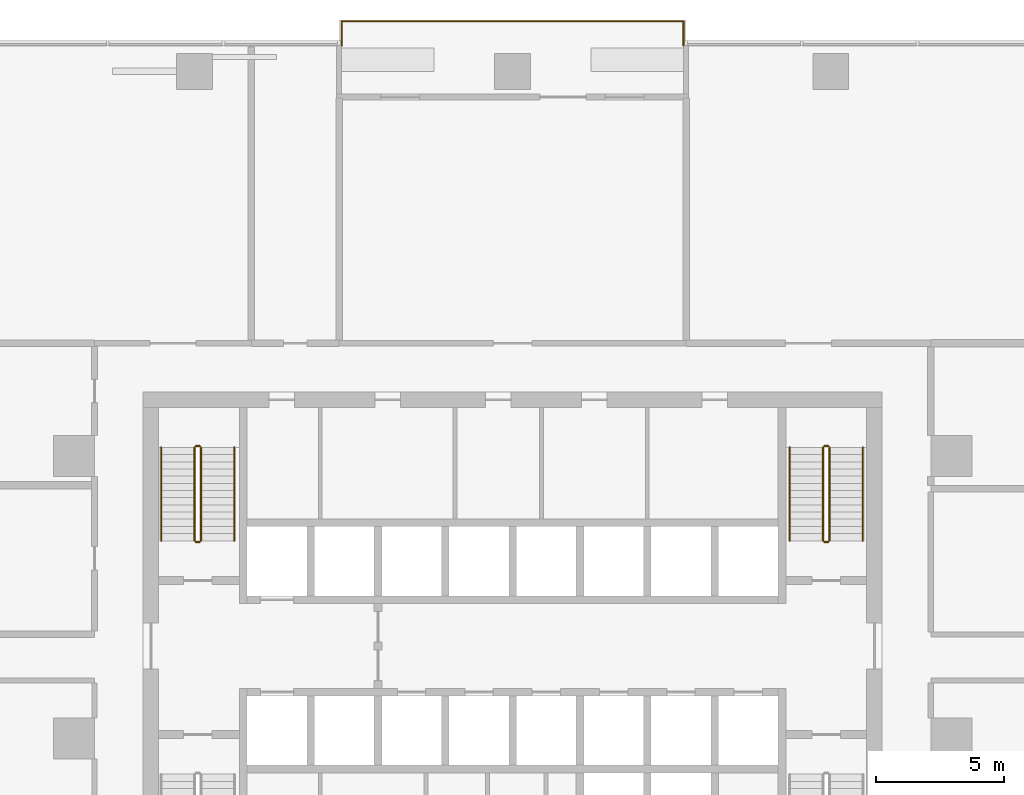
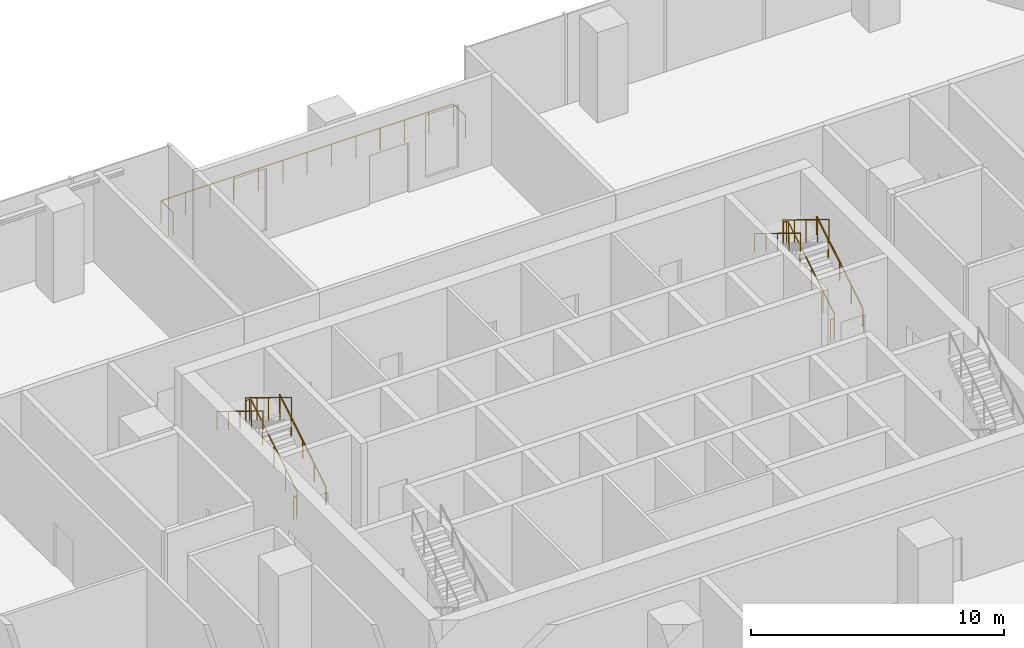
# One storey, part 14 of 14: 11 railings.
"""IFC4 building model written with IfcOpenShell, lengths in metres."""

from ifc_helpers import new_model, si_unit, direction, frame, origin, origin_2d, place, context, subcontext, project, spatial, circle, extrude, material, type_object, element, save


model = new_model("IFC4")

# Units and contexts
model_context = context("Model", 3, precision=1e-05, world=origin(), true_north=direction((0.0, 1.0)))
body_context = subcontext(model_context, "Body", "Model", "MODEL_VIEW")
ifc_project = project(units=[si_unit("LENGTHUNIT", "METRE"), si_unit("AREAUNIT", "SQUARE_METRE"), si_unit("VOLUMEUNIT", "CUBIC_METRE"), si_unit("PLANEANGLEUNIT", "RADIAN"), si_unit("MASSUNIT", "GRAM", prefix="KILO")], contexts=[model_context])

# Site, building, storey
site_placement = place(None, origin())
site = spatial("IfcSite", under=ifc_project, at=site_placement, CompositionType="ELEMENT")
building_placement = place(site_placement, origin())
building = spatial("IfcBuilding", under=site, at=building_placement, Name="Mopane Tessera Tower", CompositionType="ELEMENT")
storey_placement = place(building_placement, frame((0.0, 0.0, 55.0)))
storey = spatial("IfcBuildingStorey", under=building, at=storey_placement, Name="L10", CompositionType="ELEMENT", Elevation=55.0)

# Railings
ifc_material_1 = material(Name="Powder-coated steel balustrade", Category="steel")
railing_type_1 = type_object("IfcRailingType", Name="Escape stair guard 1100 mm", PredefinedType="GUARDRAIL", material=ifc_material_1)
railing_1_placement = place(storey_placement, frame((-12.14990234375, 7.699951171875, 0.17138671875)))
element("IfcRailing", 1, at=railing_1_placement, inside=storey, type_object=railing_type_1, Name="L10 ST2 stair guard 1", PredefinedType="GUARDRAIL", context=body_context, shape_type="SweptSolid", body=[
    extrude(circle(Radius=0.02392578125, at=origin_2d()), frame((0.0, 0.0, 1.076171875), z_axis=(0.0, 0.852865859571, 0.52213008492), x_axis=(-1.0, 0.0, 0.0)), (0.0, 0.0, 1.0), 4.26806640625),
    extrude(circle(Radius=0.02392578125, at=origin_2d()), frame((0.0, 3.64013671875, 3.3046875), z_axis=(-0.708833529934, 0.705375805398, 0.0), x_axis=(-0.705375805398, -0.708833529934, 0.0)), (0.0, 0.0, 1.0), 0.070556640625),
    extrude(circle(Radius=0.02392578125, at=origin_2d()), frame((-0.050048828125, 3.68994140625, 3.3046875), z_axis=(-1.0, 0.0, 0.0), x_axis=(0.0, -1.0, 0.0)), (0.0, 0.0, 1.0), 0.150146484375),
    extrude(circle(Radius=0.02099609375, at=origin_2d()), origin(), (0.0, 0.0, 1.0), 1.052001953125),
    extrude(circle(Radius=0.02099609375, at=origin_2d()), frame((0.0, 0.91015625, 0.55712890625)), (0.0, 0.0, 1.0), 1.052001953125),
    extrude(circle(Radius=0.02099609375, at=origin_2d()), frame((0.0, 1.820068359375, 1.1142578125)), (0.0, 0.0, 1.0), 1.052001953125),
    extrude(circle(Radius=0.02099609375, at=origin_2d()), frame((0.0, 2.72998046875, 1.67138671875)), (0.0, 0.0, 1.0), 1.052001953125),
    extrude(circle(Radius=0.02099609375, at=origin_2d()), frame((0.0, 3.64013671875, 2.228515625)), (0.0, 0.0, 1.0), 1.052001953125),
    extrude(circle(Radius=0.02099609375, at=origin_2d()), frame((-0.050048828125, 3.68994140625, 2.228515625)), (0.0, 0.0, 1.0), 1.052001953125),
    extrude(circle(Radius=0.02099609375, at=origin_2d()), frame((-0.2001953125, 3.68994140625, 2.228515625)), (0.0, 0.0, 1.0), 1.052001953125),
])
railing_2_placement = place(storey_placement, frame((-12.39990234375, 11.340087890625, 2.571533203125)))
element("IfcRailing", 2, at=railing_2_placement, inside=storey, type_object=railing_type_1, Name="L10 ST2 stair guard 2", PredefinedType="GUARDRAIL", context=body_context, shape_type="SweptSolid", body=[
    extrude(circle(Radius=0.02392578125, at=origin_2d()), frame((0.0, 0.0, 1.076171875), z_axis=(0.0, -0.852865859571, 0.52213008492), x_axis=(1.0, 0.0, 0.0)), (0.0, 0.0, 1.0), 4.26806640625),
    extrude(circle(Radius=0.02099609375, at=origin_2d()), origin(), (0.0, 0.0, 1.0), 1.052001953125),
    extrude(circle(Radius=0.02099609375, at=origin_2d()), frame((0.0, -0.91015625, 0.55712890625)), (0.0, 0.0, 1.0), 1.052001953125),
    extrude(circle(Radius=0.02099609375, at=origin_2d()), frame((0.0, -1.820068359375, 1.1142578125)), (0.0, 0.0, 1.0), 1.052001953125),
    extrude(circle(Radius=0.02099609375, at=origin_2d()), frame((0.0, -2.72998046875, 1.67138671875)), (0.0, 0.0, 1.0), 1.052001953125),
    extrude(circle(Radius=0.02099609375, at=origin_2d()), frame((0.0, -3.64013671875, 2.228515625)), (0.0, 0.0, 1.0), 1.052001953125),
])
railing_3_placement = place(storey_placement, frame((-12.199951171875, 7.64990234375, 0.0)))
element("IfcRailing", 3, at=railing_3_placement, inside=storey, type_object=railing_type_1, Name="L10 ST2 stair guard 3", PredefinedType="GUARDRAIL", context=body_context, shape_type="SweptSolid", body=[
    extrude(circle(Radius=0.02392578125, at=origin_2d()), frame((0.0, 0.0, 1.076171875), z_axis=(-1.0, 0.0, 0.0), x_axis=(0.0, -1.0, 0.0)), (0.0, 0.0, 1.0), 0.150146484375),
    extrude(circle(Radius=0.02099609375, at=origin_2d()), origin(), (0.0, 0.0, 1.0), 1.052001953125),
    extrude(circle(Radius=0.02099609375, at=origin_2d()), frame((-0.150146484375, 0.0, 0.0)), (0.0, 0.0, 1.0), 1.052001953125),
])
railing_4_placement = place(storey_placement, frame((12.35009765625, 7.699951171875, 0.17138671875)))
element("IfcRailing", 4, at=railing_4_placement, inside=storey, type_object=railing_type_1, Name="L10 ST4 stair guard 1", PredefinedType="GUARDRAIL", context=body_context, shape_type="SweptSolid", body=[
    extrude(circle(Radius=0.02392578125, at=origin_2d()), frame((0.0, 0.0, 1.076171875), z_axis=(0.0, 0.852865859571, 0.52213008492), x_axis=(-1.0, 0.0, 0.0)), (0.0, 0.0, 1.0), 4.26806640625),
    extrude(circle(Radius=0.02392578125, at=origin_2d()), frame((0.0, 3.64013671875, 3.3046875), z_axis=(-0.708833529934, 0.705375805398, 0.0), x_axis=(-0.705375805398, -0.708833529934, 0.0)), (0.0, 0.0, 1.0), 0.070556640625),
    extrude(circle(Radius=0.02392578125, at=origin_2d()), frame((-0.050048828125, 3.68994140625, 3.3046875), z_axis=(-1.0, 0.0, 0.0), x_axis=(0.0, -1.0, 0.0)), (0.0, 0.0, 1.0), 0.150146484375),
    extrude(circle(Radius=0.02099609375, at=origin_2d()), origin(), (0.0, 0.0, 1.0), 1.052001953125),
    extrude(circle(Radius=0.02099609375, at=origin_2d()), frame((0.0, 0.91015625, 0.55712890625)), (0.0, 0.0, 1.0), 1.052001953125),
    extrude(circle(Radius=0.02099609375, at=origin_2d()), frame((0.0, 1.820068359375, 1.1142578125)), (0.0, 0.0, 1.0), 1.052001953125),
    extrude(circle(Radius=0.02099609375, at=origin_2d()), frame((0.0, 2.72998046875, 1.67138671875)), (0.0, 0.0, 1.0), 1.052001953125),
    extrude(circle(Radius=0.02099609375, at=origin_2d()), frame((0.0, 3.64013671875, 2.228515625)), (0.0, 0.0, 1.0), 1.052001953125),
    extrude(circle(Radius=0.02099609375, at=origin_2d()), frame((-0.050048828125, 3.68994140625, 2.228515625)), (0.0, 0.0, 1.0), 1.052001953125),
    extrude(circle(Radius=0.02099609375, at=origin_2d()), frame((-0.2001953125, 3.68994140625, 2.228515625)), (0.0, 0.0, 1.0), 1.052001953125),
])
railing_5_placement = place(storey_placement, frame((12.10009765625, 11.340087890625, 2.571533203125)))
element("IfcRailing", 5, at=railing_5_placement, inside=storey, type_object=railing_type_1, Name="L10 ST4 stair guard 2", PredefinedType="GUARDRAIL", context=body_context, shape_type="SweptSolid", body=[
    extrude(circle(Radius=0.02392578125, at=origin_2d()), frame((0.0, 0.0, 1.076171875), z_axis=(0.0, -0.852865859571, 0.52213008492), x_axis=(1.0, 0.0, 0.0)), (0.0, 0.0, 1.0), 4.26806640625),
    extrude(circle(Radius=0.02099609375, at=origin_2d()), origin(), (0.0, 0.0, 1.0), 1.052001953125),
    extrude(circle(Radius=0.02099609375, at=origin_2d()), frame((0.0, -0.91015625, 0.55712890625)), (0.0, 0.0, 1.0), 1.052001953125),
    extrude(circle(Radius=0.02099609375, at=origin_2d()), frame((0.0, -1.820068359375, 1.1142578125)), (0.0, 0.0, 1.0), 1.052001953125),
    extrude(circle(Radius=0.02099609375, at=origin_2d()), frame((0.0, -2.72998046875, 1.67138671875)), (0.0, 0.0, 1.0), 1.052001953125),
    extrude(circle(Radius=0.02099609375, at=origin_2d()), frame((0.0, -3.64013671875, 2.228515625)), (0.0, 0.0, 1.0), 1.052001953125),
])
railing_6_placement = place(storey_placement, frame((12.300048828125, 7.64990234375, 0.0)))
element("IfcRailing", 6, at=railing_6_placement, inside=storey, type_object=railing_type_1, Name="L10 ST4 stair guard 3", PredefinedType="GUARDRAIL", context=body_context, shape_type="SweptSolid", body=[
    extrude(circle(Radius=0.02392578125, at=origin_2d()), frame((0.0, 0.0, 1.076171875), z_axis=(-1.0, 0.0, 0.0), x_axis=(0.0, -1.0, 0.0)), (0.0, 0.0, 1.0), 0.150146484375),
    extrude(circle(Radius=0.02099609375, at=origin_2d()), origin(), (0.0, 0.0, 1.0), 1.052001953125),
    extrude(circle(Radius=0.02099609375, at=origin_2d()), frame((-0.150146484375, 0.0, 0.0)), (0.0, 0.0, 1.0), 1.052001953125),
])
ifc_material_2 = material(Name="Powder-coated steel balustrade", Category="steel")
railing_type_2 = type_object("IfcRailingType", Name="Escape stair handrail 900 mm", PredefinedType="HANDRAIL", material=ifc_material_2)
railing_7_placement = place(storey_placement, frame((-10.85009765625, 7.699951171875, 0.17138671875)))
element("IfcRailing", 7, at=railing_7_placement, inside=storey, type_object=railing_type_2, Name="L10 ST2 stair handrail 1", PredefinedType="HANDRAIL", context=body_context, shape_type="SweptSolid", body=[
    extrude(circle(Radius=0.02392578125, at=origin_2d()), frame((0.0, 0.0, 0.8759765625), z_axis=(0.0, 0.852865859571, 0.52213008492), x_axis=(-1.0, 0.0, 0.0)), (0.0, 0.0, 1.0), 4.26806640625),
    extrude(circle(Radius=0.02099609375, at=origin_2d()), origin(), (0.0, 0.0, 1.0), 0.851806640625),
    extrude(circle(Radius=0.02099609375, at=origin_2d()), frame((0.0, 0.91015625, 0.55712890625)), (0.0, 0.0, 1.0), 0.851806640625),
    extrude(circle(Radius=0.02099609375, at=origin_2d()), frame((0.0, 1.820068359375, 1.1142578125)), (0.0, 0.0, 1.0), 0.851806640625),
    extrude(circle(Radius=0.02099609375, at=origin_2d()), frame((0.0, 2.72998046875, 1.67138671875)), (0.0, 0.0, 1.0), 0.851806640625),
    extrude(circle(Radius=0.02099609375, at=origin_2d()), frame((0.0, 3.64013671875, 2.228515625)), (0.0, 0.0, 1.0), 0.851806640625),
])
railing_8_placement = place(storey_placement, frame((-13.699951171875, 11.340087890625, 2.571533203125)))
element("IfcRailing", 8, at=railing_8_placement, inside=storey, type_object=railing_type_2, Name="L10 ST2 stair handrail 2", PredefinedType="HANDRAIL", context=body_context, shape_type="SweptSolid", body=[
    extrude(circle(Radius=0.02392578125, at=origin_2d()), frame((0.0, 0.0, 0.8759765625), z_axis=(0.0, -0.852865859571, 0.52213008492), x_axis=(1.0, 0.0, 0.0)), (0.0, 0.0, 1.0), 4.26806640625),
    extrude(circle(Radius=0.02099609375, at=origin_2d()), origin(), (0.0, 0.0, 1.0), 0.851806640625),
    extrude(circle(Radius=0.02099609375, at=origin_2d()), frame((0.0, -0.91015625, 0.55712890625)), (0.0, 0.0, 1.0), 0.851806640625),
    extrude(circle(Radius=0.02099609375, at=origin_2d()), frame((0.0, -1.820068359375, 1.1142578125)), (0.0, 0.0, 1.0), 0.851806640625),
    extrude(circle(Radius=0.02099609375, at=origin_2d()), frame((0.0, -2.72998046875, 1.67138671875)), (0.0, 0.0, 1.0), 0.851806640625),
    extrude(circle(Radius=0.02099609375, at=origin_2d()), frame((0.0, -3.64013671875, 2.228515625)), (0.0, 0.0, 1.0), 0.851806640625),
])
railing_9_placement = place(storey_placement, frame((13.64990234375, 7.699951171875, 0.17138671875)))
element("IfcRailing", 9, at=railing_9_placement, inside=storey, type_object=railing_type_2, Name="L10 ST4 stair handrail 1", PredefinedType="HANDRAIL", context=body_context, shape_type="SweptSolid", body=[
    extrude(circle(Radius=0.02392578125, at=origin_2d()), frame((0.0, 0.0, 0.8759765625), z_axis=(0.0, 0.852865859571, 0.52213008492), x_axis=(-1.0, 0.0, 0.0)), (0.0, 0.0, 1.0), 4.26806640625),
    extrude(circle(Radius=0.02099609375, at=origin_2d()), origin(), (0.0, 0.0, 1.0), 0.851806640625),
    extrude(circle(Radius=0.02099609375, at=origin_2d()), frame((0.0, 0.91015625, 0.55712890625)), (0.0, 0.0, 1.0), 0.851806640625),
    extrude(circle(Radius=0.02099609375, at=origin_2d()), frame((0.0, 1.820068359375, 1.1142578125)), (0.0, 0.0, 1.0), 0.851806640625),
    extrude(circle(Radius=0.02099609375, at=origin_2d()), frame((0.0, 2.72998046875, 1.67138671875)), (0.0, 0.0, 1.0), 0.851806640625),
    extrude(circle(Radius=0.02099609375, at=origin_2d()), frame((0.0, 3.64013671875, 2.228515625)), (0.0, 0.0, 1.0), 0.851806640625),
])
railing_10_placement = place(storey_placement, frame((10.800048828125, 11.340087890625, 2.571533203125)))
element("IfcRailing", 10, at=railing_10_placement, inside=storey, type_object=railing_type_2, Name="L10 ST4 stair handrail 2", PredefinedType="HANDRAIL", context=body_context, shape_type="SweptSolid", body=[
    extrude(circle(Radius=0.02392578125, at=origin_2d()), frame((0.0, 0.0, 0.8759765625), z_axis=(0.0, -0.852865859571, 0.52213008492), x_axis=(1.0, 0.0, 0.0)), (0.0, 0.0, 1.0), 4.26806640625),
    extrude(circle(Radius=0.02099609375, at=origin_2d()), origin(), (0.0, 0.0, 1.0), 0.851806640625),
    extrude(circle(Radius=0.02099609375, at=origin_2d()), frame((0.0, -0.91015625, 0.55712890625)), (0.0, 0.0, 1.0), 0.851806640625),
    extrude(circle(Radius=0.02099609375, at=origin_2d()), frame((0.0, -1.820068359375, 1.1142578125)), (0.0, 0.0, 1.0), 0.851806640625),
    extrude(circle(Radius=0.02099609375, at=origin_2d()), frame((0.0, -2.72998046875, 1.67138671875)), (0.0, 0.0, 1.0), 0.851806640625),
    extrude(circle(Radius=0.02099609375, at=origin_2d()), frame((0.0, -3.64013671875, 2.228515625)), (0.0, 0.0, 1.0), 0.851806640625),
])
ifc_material_3 = material(Name="Stainless steel S316", Category="steel")
railing_type_3 = type_object("IfcRailingType", Name="Terrace guard 1100", PredefinedType="GUARDRAIL", material=ifc_material_3)
railing_11_placement = place(storey_placement, frame((6.66357421875, 27.0, 0.0)))
element("IfcRailing", 11, at=railing_11_placement, inside=storey, type_object=railing_type_3, Name="e:nw:L10:N2:guard", PredefinedType="GUARDRAIL", context=body_context, shape_type="SweptSolid", body=[
    extrude(circle(Radius=0.02392578125, at=origin_2d()), frame((0.0, 0.0, 1.076171875), z_axis=(0.0, 1.0, 0.0), x_axis=(-1.0, 0.0, 0.0)), (0.0, 0.0, 1.0), 0.949951171875),
    extrude(circle(Radius=0.02392578125, at=origin_2d()), frame((0.0, 0.949951171875, 1.076171875), z_axis=(-1.0, 0.0, 0.0), x_axis=(0.0, -1.0, 0.0)), (0.0, 0.0, 1.0), 13.3271484375),
    extrude(circle(Radius=0.02392578125, at=origin_2d()), frame((-13.3271484375, 0.949951171875, 1.076171875), z_axis=(0.0, -1.0, 0.0), x_axis=(1.0, 0.0, 0.0)), (0.0, 0.0, 1.0), 0.949951171875),
    extrude(circle(Radius=0.02099609375, at=origin_2d()), origin(), (0.0, 0.0, 1.0), 1.052001953125),
    extrude(circle(Radius=0.02099609375, at=origin_2d()), frame((0.0, 0.949951171875, 0.0)), (0.0, 0.0, 1.0), 1.052001953125),
    extrude(circle(Radius=0.02099609375, at=origin_2d()), frame((-1.110595703125, 0.949951171875, 0.0)), (0.0, 0.0, 1.0), 1.052001953125),
    extrude(circle(Radius=0.02099609375, at=origin_2d()), frame((-2.22119140625, 0.949951171875, 0.0)), (0.0, 0.0, 1.0), 1.052001953125),
    extrude(circle(Radius=0.02099609375, at=origin_2d()), frame((-3.331787109375, 0.949951171875, 0.0)), (0.0, 0.0, 1.0), 1.052001953125),
    extrude(circle(Radius=0.02099609375, at=origin_2d()), frame((-4.4423828125, 0.949951171875, 0.0)), (0.0, 0.0, 1.0), 1.052001953125),
    extrude(circle(Radius=0.02099609375, at=origin_2d()), frame((-5.552978515625, 0.949951171875, 0.0)), (0.0, 0.0, 1.0), 1.052001953125),
    extrude(circle(Radius=0.02099609375, at=origin_2d()), frame((-6.66357421875, 0.949951171875, 0.0)), (0.0, 0.0, 1.0), 1.052001953125),
    extrude(circle(Radius=0.02099609375, at=origin_2d()), frame((-7.774169921875, 0.949951171875, 0.0)), (0.0, 0.0, 1.0), 1.052001953125),
    extrude(circle(Radius=0.02099609375, at=origin_2d()), frame((-8.884765625, 0.949951171875, 0.0)), (0.0, 0.0, 1.0), 1.052001953125),
    extrude(circle(Radius=0.02099609375, at=origin_2d()), frame((-9.995361328125, 0.949951171875, 0.0)), (0.0, 0.0, 1.0), 1.052001953125),
    extrude(circle(Radius=0.02099609375, at=origin_2d()), frame((-11.10595703125, 0.949951171875, 0.0)), (0.0, 0.0, 1.0), 1.052001953125),
    extrude(circle(Radius=0.02099609375, at=origin_2d()), frame((-12.216552734375, 0.949951171875, 0.0)), (0.0, 0.0, 1.0), 1.052001953125),
    extrude(circle(Radius=0.02099609375, at=origin_2d()), frame((-13.3271484375, 0.949951171875, 0.0)), (0.0, 0.0, 1.0), 1.052001953125),
    extrude(circle(Radius=0.02099609375, at=origin_2d()), frame((-13.3271484375, 0.0, 0.0)), (0.0, 0.0, 1.0), 1.052001953125),
])

save(model, "model.ifc")
